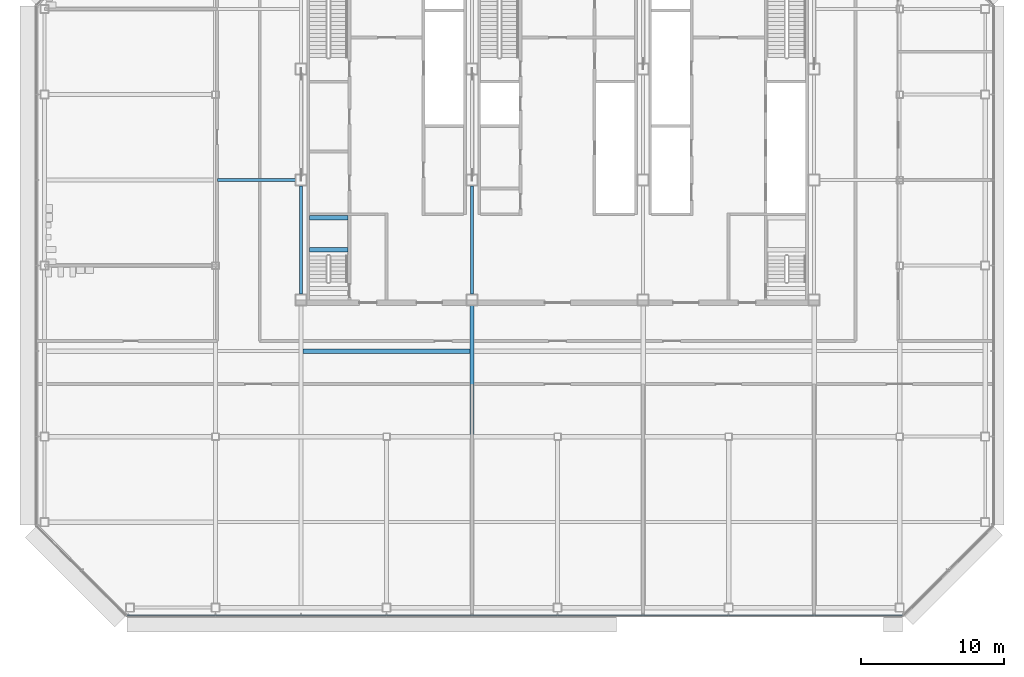
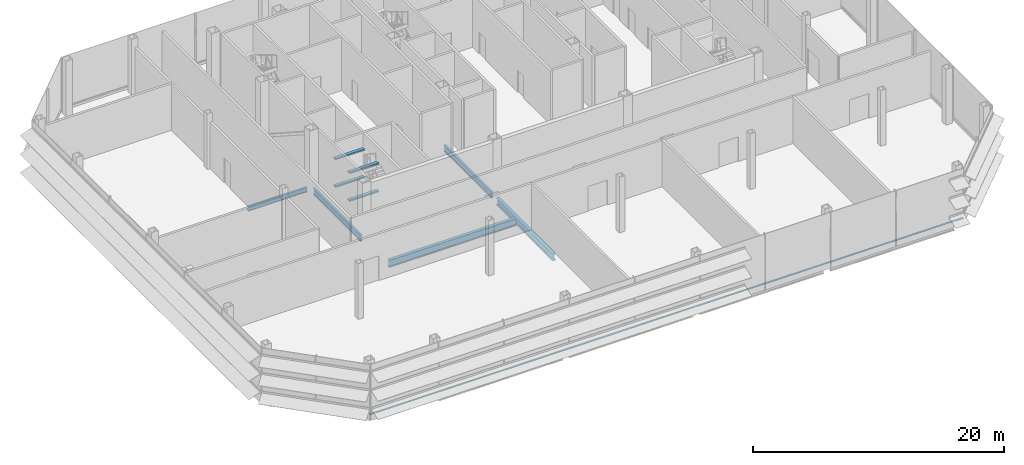
# One storey, part 8 of 26: 9 beams, 1 member, 1 element without a shape of its own.
"""IFC4 building model written with IfcOpenShell, lengths in metres."""

from ifc_helpers import new_model, si_unit, direction, frame, origin, origin_2d, place, context, subcontext, project, spatial, rectangle, i_section, extrude, material, material_profile, profile_set, type_object, element, aggregate, save


model = new_model("IFC4")

# Units and contexts
model_context = context("Model", 3, precision=1e-05, world=origin(), true_north=direction((0.0, 1.0)))
body_context = subcontext(model_context, "Body", "Model", "MODEL_VIEW")
ifc_project = project(units=[si_unit("LENGTHUNIT", "METRE"), si_unit("AREAUNIT", "SQUARE_METRE"), si_unit("VOLUMEUNIT", "CUBIC_METRE"), si_unit("PLANEANGLEUNIT", "RADIAN"), si_unit("MASSUNIT", "GRAM", prefix="KILO")], contexts=[model_context])

# Site, building, storey
site_placement = place(None, origin())
site = spatial("IfcSite", under=ifc_project, at=site_placement, CompositionType="ELEMENT")
building_placement = place(site_placement, origin())
building = spatial("IfcBuilding", under=site, at=building_placement, Name="Sorahane Residences", CompositionType="ELEMENT")
storey_placement = place(building_placement, frame((0.0, 0.0, 257.60009765625)))
storey = spatial("IfcBuildingStorey", under=building, at=storey_placement, Name="L61", CompositionType="ELEMENT", Elevation=257.60009765625)

# Curtain wall, member
ifc_material_1 = material(Name="Dark low-e glass and black anodised aluminium", Category="aluminium")
curtain_wall_type = type_object("IfcCurtainWallType", Name="Curtain wall CW-4 Sky floor frameless wall", PredefinedType="NOTDEFINED", material=ifc_material_1)
curtain_wall_placement = place(storey_placement, origin())
curtain_wall = element("IfcCurtainWall", 1, at=curtain_wall_placement, inside=storey, type_object=curtain_wall_type, Name="CW-4 curtain wall L61 S1", PredefinedType="NOTDEFINED")
ifc_material_2 = material(Name="Black anodised aluminium", Category="aluminium")
ifc_material_profile_1 = material_profile(ifc_material_2, rectangle(XDim=0.10009765625, YDim=0.06005859375, at=origin_2d()), Name="Curtain wall transom CW-4 black anodised aluminium 60x100")
ifc_profile_set_1 = profile_set([ifc_material_profile_1], Name="Black anodised aluminium")
member_type = type_object("IfcMemberType", Name="Curtain wall transom CW-4 black anodised aluminium 60x100", PredefinedType="USERDEFINED", material=ifc_profile_set_1)
member_placement = place(storey_placement, frame((-6.198486328125, -0.530029296875, 0.349853515625), z_axis=(1.0, 0.0, 0.0), x_axis=(0.0, 1.0, 0.0)))
member = element("IfcMember", 2, at=member_placement, type_object=member_type, Name="CW-4 transom L61 S1", ObjectType="TRANSOM", PredefinedType="USERDEFINED", context=body_context, shape_type="SweptSolid", body=[
    extrude(rectangle(XDim=0.10009765625, YDim=0.06005859375, at=origin_2d()), origin(), (0.0, 0.0, 1.0), 54.39697265625),
])
aggregate(curtain_wall, [member])

# Beams
ifc_material_3 = material(Name="Concrete C40", Category="concrete")
ifc_material_profile_2 = material_profile(ifc_material_3, rectangle(XDim=0.300048828125, YDim=0.139892578125, at=origin_2d()), Name="300x140")
ifc_profile_set_2 = profile_set([ifc_material_profile_2], Name="Concrete C40")
beam_type_1 = type_object("IfcBeamType", Name="RC landing beam 300 x 140 Concrete C40", PredefinedType="BEAM", material=ifc_profile_set_2)
for number, where, z_axis, x_axis, name in (
    (3, (6.60009765625, 25.1201171875, 1.079833984375), (1.0, 0.0, 0.0), (0.0, 1.0, 0.0), "Landing beam"),
    (4, (6.60009765625, 27.35009765625, 1.079833984375), (1.0, 0.0, 0.0), (0.0, 1.0, 0.0), "Landing beam"),
    (5, (6.60009765625, 25.1201171875, 3.77978515625), (1.0, 0.0, 0.0), (0.0, 1.0, 0.0), "Landing beam"),
    (6, (6.60009765625, 27.35009765625, 3.77978515625), (1.0, 0.0, 0.0), (0.0, 1.0, 0.0), "Landing beam"),
):
    element("IfcBeam", number, at=place(storey_placement, frame(where, z_axis=z_axis, x_axis=x_axis)), inside=storey, type_object=beam_type_1, Name=name, PredefinedType="BEAM", context=body_context, shape_type="SweptSolid", body=[
        extrude(rectangle(XDim=0.300048828125, YDim=0.139892578125, at=origin_2d()), origin(), (0.0, 0.0, 1.0), 2.699951171875),
    ])
ifc_material_4 = material(Name="Steel Q355B", Category="steel")
ifc_material_profile_3 = material_profile(ifc_material_4, i_section(OverallWidth=0.199951171875, OverallDepth=0.449951171875, WebThickness=0.009033203125, FlangeThickness=0.013916015625, FilletRadius=0.02001953125, at=origin_2d()), Name="HN 450x200x9x14")
ifc_profile_set_3 = profile_set([ifc_material_profile_3], Name="Steel Q355B")
beam_type_2 = type_object("IfcBeamType", Name="Steel floor beam HN 450x200x9x14 Q355B", PredefinedType="BEAM", material=ifc_profile_set_3)
beam_1_placement = place(storey_placement, frame((0.14990234375, 30.0, -0.445068359375), z_axis=(1.0, 0.0, 0.0), x_axis=(0.0, 1.0, 0.0)))
element("IfcBeam", 7, at=beam_1_placement, inside=storey, type_object=beam_type_2, Name="Beam L61 086", PredefinedType="BEAM", context=body_context, shape_type="SweptSolid", body=[
    extrude(i_section(OverallWidth=0.199951171875, OverallDepth=0.449951171875, WebThickness=0.009033203125, FlangeThickness=0.013916015625, FilletRadius=0.02001953125, at=origin_2d()), origin(), (0.0, 0.0, 1.0), 5.4501953125),
])
ifc_material_5 = material(Name="Steel Q355B", Category="steel")
ifc_material_profile_4 = material_profile(ifc_material_5, i_section(OverallWidth=0.199951171875, OverallDepth=0.60009765625, WebThickness=0.010986328125, FlangeThickness=0.01708984375, FilletRadius=0.02392578125, at=origin_2d()), Name="HN 600x200x11x17")
ifc_profile_set_4 = profile_set([ifc_material_profile_4], Name="Steel Q355B")
beam_type_3 = type_object("IfcBeamType", Name="Steel floor beam HN 600x200x11x17 Q355B", PredefinedType="BEAM", material=ifc_profile_set_4)
for number, where, z_axis, x_axis, name in (
    (8, (6.0, 22.0, -0.52001953125), (0.0, 1.0, 0.0), (-1.0, 0.0, 0.0), "Beam L61 030"),
    (9, (18.0, 22.0, -0.52001953125), (0.0, 1.0, 0.0), (-1.0, 0.0, 0.0), "Beam L61 038"),
):
    element("IfcBeam", number, at=place(storey_placement, frame(where, z_axis=z_axis, x_axis=x_axis)), inside=storey, type_object=beam_type_3, Name=name, PredefinedType="BEAM", context=body_context, shape_type="SweptSolid", body=[
        extrude(i_section(OverallWidth=0.199951171875, OverallDepth=0.60009765625, WebThickness=0.010986328125, FlangeThickness=0.01708984375, FilletRadius=0.02392578125, at=origin_2d()), origin(), (0.0, 0.0, 1.0), 7.60009765625),
    ])
ifc_material_6 = material(Name="Steel Q355B", Category="steel")
ifc_material_profile_5 = material_profile(ifc_material_6, i_section(OverallWidth=0.300048828125, OverallDepth=0.699951171875, WebThickness=0.012939453125, FlangeThickness=0.02392578125, FilletRadius=0.028076171875, at=origin_2d()), Name="HN 700x300x13x24")
ifc_profile_set_5 = profile_set([ifc_material_profile_5], Name="Steel Q355B")
beam_type_4 = type_object("IfcBeamType", Name="Steel floor beam HN 700x300x13x24 Q355B", PredefinedType="BEAM", material=ifc_profile_set_5)
beam_2_placement = place(storey_placement, frame((18.0, 12.14990234375, -0.570068359375), z_axis=(0.0, 1.0, 0.0), x_axis=(-1.0, 0.0, 0.0)))
element("IfcBeam", 10, at=beam_2_placement, inside=storey, type_object=beam_type_4, Name="Beam L61 037", PredefinedType="BEAM", context=body_context, shape_type="SweptSolid", body=[
    extrude(i_section(OverallWidth=0.300048828125, OverallDepth=0.699951171875, WebThickness=0.012939453125, FlangeThickness=0.02392578125, FilletRadius=0.028076171875, at=origin_2d()), origin(), (0.0, 0.0, 1.0), 9.050048828125),
])
beam_3_placement = place(storey_placement, frame((6.14990234375, 18.0, -0.570068359375), z_axis=(1.0, 0.0, 0.0), x_axis=(0.0, 1.0, 0.0)))
element("IfcBeam", 11, at=beam_3_placement, inside=storey, type_object=beam_type_4, Name="Beam L61 080", PredefinedType="BEAM", context=body_context, shape_type="SweptSolid", body=[
    extrude(i_section(OverallWidth=0.300048828125, OverallDepth=0.699951171875, WebThickness=0.012939453125, FlangeThickness=0.02392578125, FilletRadius=0.028076171875, at=origin_2d()), origin(), (0.0, 0.0, 1.0), 11.7001953125),
])

save(model, "model.ifc")
